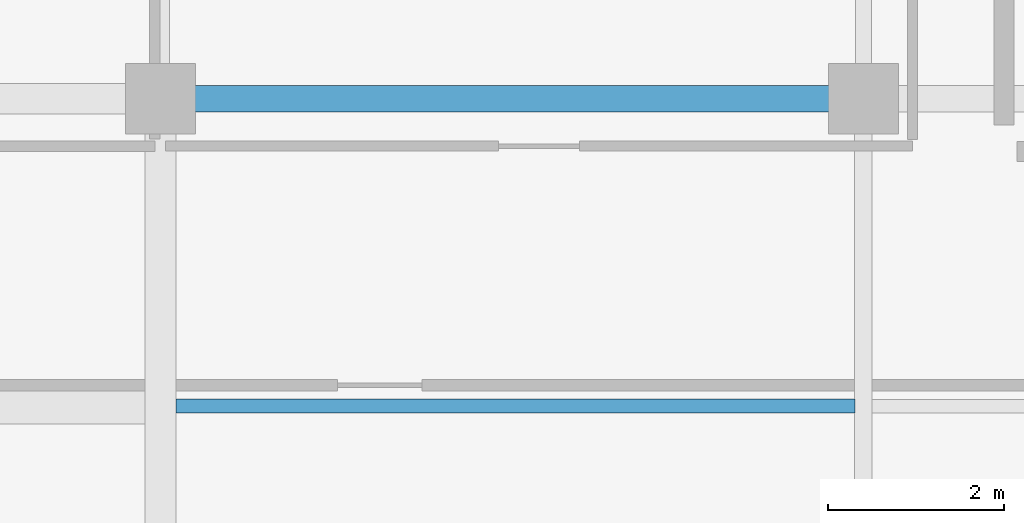
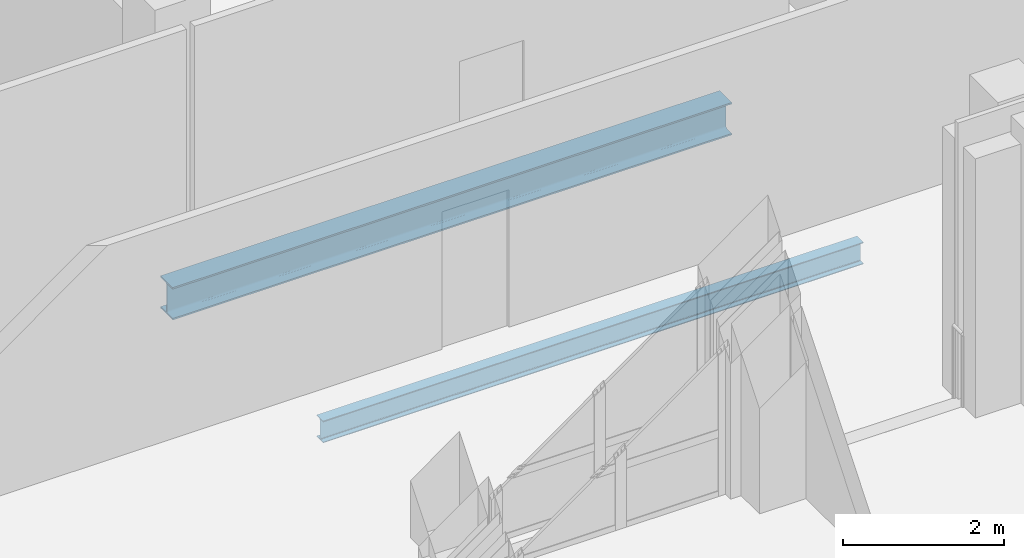
# One storey, part 86 of 165: 2 beams.
"""IFC4 building model written with IfcOpenShell, lengths in metres."""

from ifc_helpers import new_model, si_unit, direction, frame, origin, origin_2d, place, context, subcontext, project, spatial, i_section, extrude, material, material_profile, profile_set, type_object, element, save


model = new_model("IFC4")

# Units and contexts
model_context = context("Model", 3, precision=1e-05, world=origin(), true_north=direction((0.0, 1.0)))
body_context = subcontext(model_context, "Body", "Model", "MODEL_VIEW")
ifc_project = project(units=[si_unit("LENGTHUNIT", "METRE"), si_unit("AREAUNIT", "SQUARE_METRE"), si_unit("VOLUMEUNIT", "CUBIC_METRE"), si_unit("PLANEANGLEUNIT", "RADIAN"), si_unit("MASSUNIT", "GRAM", prefix="KILO")], contexts=[model_context])

# Site, building, storey
site_placement = place(None, origin())
site = spatial("IfcSite", under=ifc_project, at=site_placement, CompositionType="ELEMENT")
building_placement = place(site_placement, origin())
building = spatial("IfcBuilding", under=site, at=building_placement, Name="Qalavern Law Courts", CompositionType="ELEMENT")
storey_placement = place(building_placement, frame((0.0, 0.0, 14.39990234375)))
storey = spatial("IfcBuildingStorey", under=building, at=storey_placement, Name="L03", CompositionType="ELEMENT", Elevation=14.39990234375)

# Beams
ifc_material = material(Name="Steel S355", Category="steel")
ifc_material_profile_1 = material_profile(ifc_material, i_section(OverallWidth=0.300048828125, OverallDepth=0.489990234375, WebThickness=0.011962890625, FlangeThickness=0.02294921875, FilletRadius=0.027099609375, at=origin_2d()), Name="HEA 500")
ifc_profile_set_1 = profile_set([ifc_material_profile_1], Name="Steel S355")
beam_type_1 = type_object("IfcBeamType", Name="STR-BM-HEA500", PredefinedType="BEAM", material=ifc_profile_set_1)
beam_1_placement = place(storey_placement, frame((10.39990234375, 103.60009765625, -0.52978515625), z_axis=(1.0, 0.0, 0.0), x_axis=(0.0, 1.0, 0.0)))
element("IfcBeam", 1, at=beam_1_placement, inside=storey, type_object=beam_type_1, Name="V5 X-beam 2-2 L03", PredefinedType="BEAM", context=body_context, shape_type="SweptSolid", body=[
    extrude(i_section(OverallWidth=0.300048828125, OverallDepth=0.489990234375, WebThickness=0.011962890625, FlangeThickness=0.02294921875, FilletRadius=0.027099609375, at=origin_2d()), origin(), (0.0, 0.0, 1.0), 8.0),
])
ifc_material_profile_2 = material_profile(ifc_material, i_section(OverallWidth=0.159912109375, OverallDepth=0.330078125, WebThickness=0.007568359375, FlangeThickness=0.011474609375, FilletRadius=0.01806640625, at=origin_2d()), Name="IPE 330")
ifc_profile_set_2 = profile_set([ifc_material_profile_2], Name="Steel S355")
beam_type_2 = type_object("IfcBeamType", Name="STR-JST-IPE330", PredefinedType="JOIST", material=ifc_profile_set_2)
beam_2_placement = place(storey_placement, frame((10.572998046875, 100.10009765625, -0.449951171875), z_axis=(1.0, 0.0, 0.0), x_axis=(0.0, 1.0, 0.0)))
element("IfcBeam", 2, at=beam_2_placement, inside=storey, type_object=beam_type_2, Name="V5 secondary joist 2.1.1 L03", PredefinedType="JOIST", context=body_context, shape_type="SweptSolid", body=[
    extrude(i_section(OverallWidth=0.159912109375, OverallDepth=0.330078125, WebThickness=0.007568359375, FlangeThickness=0.011474609375, FilletRadius=0.01806640625, at=origin_2d()), origin(), (0.0, 0.0, 1.0), 7.72900390625),
])

save(model, "model.ifc")
